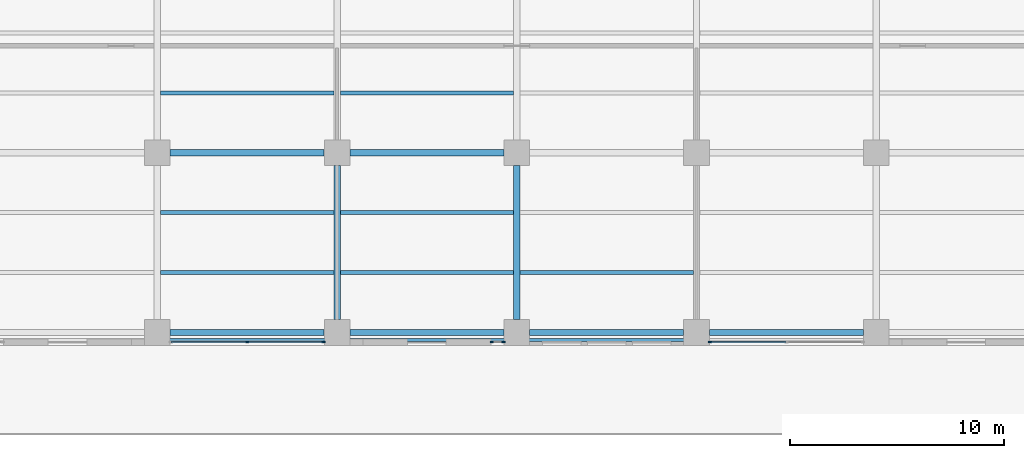
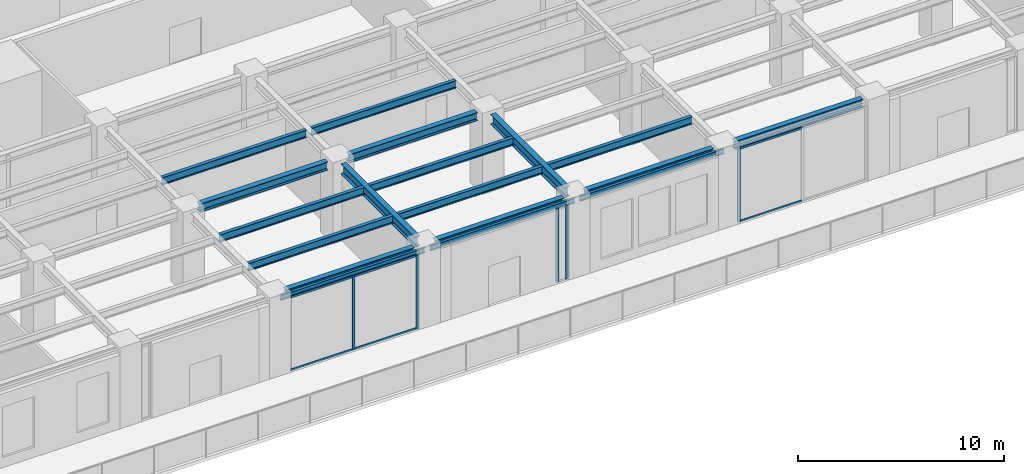
# One storey, part 4 of 53: 18 beams, 11 members, 3 elements without a shape of their own.
"""IFC4 building model written with IfcOpenShell, lengths in metres."""

from ifc_helpers import new_model, si_unit, direction, frame, origin, origin_2d, place, context, subcontext, project, spatial, rectangle, i_section, extrude, material, material_profile, profile_set, type_object, element, aggregate, save


model = new_model("IFC4")

# Units and contexts
model_context = context("Model", 3, precision=1e-05, world=origin(), true_north=direction((0.0, 1.0)))
body_context = subcontext(model_context, "Body", "Model", "MODEL_VIEW")
ifc_project = project(units=[si_unit("LENGTHUNIT", "METRE"), si_unit("AREAUNIT", "SQUARE_METRE"), si_unit("VOLUMEUNIT", "CUBIC_METRE"), si_unit("PLANEANGLEUNIT", "RADIAN"), si_unit("MASSUNIT", "GRAM", prefix="KILO")], contexts=[model_context])

# Site, building, storey
site_placement = place(None, origin())
site = spatial("IfcSite", under=ifc_project, at=site_placement, CompositionType="ELEMENT")
building_placement = place(site_placement, origin())
building = spatial("IfcBuilding", under=site, at=building_placement, Name="Khepri Terraces", CompositionType="ELEMENT")
storey_placement = place(building_placement, frame((0.0, 0.0, 7.199951171875)))
storey = spatial("IfcBuildingStorey", under=building, at=storey_placement, Name="L01", CompositionType="ELEMENT", Elevation=7.199951171875)

# Curtain wall, members
ifc_material_1 = material(Name="Anodised aluminium bronze curtain wall", Category="aluminium")
curtain_wall_type = type_object("IfcCurtainWallType", Name="CW-SYS2-PODIUM", PredefinedType="NOTDEFINED", material=ifc_material_1)
curtain_wall_1_placement = place(storey_placement, origin())
curtain_wall_1 = element("IfcCurtainWall", 1, at=curtain_wall_1_placement, inside=storey, type_object=curtain_wall_type, Name="Curtain wall CW2 L01 S", PredefinedType="NOTDEFINED")
ifc_material_2 = material(Name="Anodised aluminium bronze", Category="aluminium")
ifc_material_profile_1 = material_profile(ifc_material_2, rectangle(XDim=0.06005859375, YDim=0.159912109375, at=origin_2d()), Name="Anodised aluminium bronze", Category="aluminium")
ifc_profile_set_1 = profile_set([ifc_material_profile_1], Name="Anodised aluminium bronze")
member_type_1 = type_object("IfcMemberType", Name="CW-MULLION-60x160", PredefinedType="MULLION", material=ifc_profile_set_1)
member_1_placement = place(storey_placement, frame((-12.60009765625, -42.449951171875, 0.0), z_axis=(0.0, 0.0, 1.0), x_axis=(0.0, 1.0, 0.0)))
member_1 = element("IfcMember", 2, at=member_1_placement, type_object=member_type_1, Name="CW2 mullion 2", PredefinedType="MULLION", context=body_context, shape_type="SweptSolid", body=[
    extrude(rectangle(XDim=0.06005859375, YDim=0.159912109375, at=origin_2d()), origin(), (0.0, 0.0, 1.0), 4.380126953125),
])
member_2_placement = place(storey_placement, frame((-9.030029296875, -42.449951171875, 0.0), z_axis=(0.0, 0.0, 1.0), x_axis=(0.0, 1.0, 0.0)))
member_2 = element("IfcMember", 3, at=member_2_placement, type_object=member_type_1, Name="CW2 mullion 3", PredefinedType="MULLION", context=body_context, shape_type="SweptSolid", body=[
    extrude(rectangle(XDim=0.06005859375, YDim=0.159912109375, at=origin_2d()), origin(), (0.0, 0.0, 1.0), 4.380126953125),
])

curtain_wall_2_placement = place(storey_placement, origin())
curtain_wall_2 = element("IfcCurtainWall", 4, at=curtain_wall_2_placement, inside=storey, type_object=curtain_wall_type, Name="Curtain wall CW2 L01 S", PredefinedType="NOTDEFINED")
member_3_placement = place(storey_placement, frame((-1.169921875, -42.449951171875, 0.0), z_axis=(0.0, 0.0, 1.0), x_axis=(0.0, 1.0, 0.0)))
member_3 = element("IfcMember", 5, at=member_3_placement, type_object=member_type_1, Name="CW2 mullion 1", PredefinedType="MULLION", context=body_context, shape_type="SweptSolid", body=[
    extrude(rectangle(XDim=0.06005859375, YDim=0.159912109375, at=origin_2d()), origin(), (0.0, 0.0, 1.0), 4.380126953125),
])
member_4_placement = place(storey_placement, frame((-0.6298828125, -42.449951171875, 0.0), z_axis=(0.0, 0.0, 1.0), x_axis=(0.0, 1.0, 0.0)))
member_4 = element("IfcMember", 6, at=member_4_placement, type_object=member_type_1, Name="CW2 mullion 2", PredefinedType="MULLION", context=body_context, shape_type="SweptSolid", body=[
    extrude(rectangle(XDim=0.06005859375, YDim=0.159912109375, at=origin_2d()), origin(), (0.0, 0.0, 1.0), 4.380126953125),
])
aggregate(curtain_wall_2, [member_3, member_4])

# Curtain wall, member
curtain_wall_3_placement = place(storey_placement, origin())
curtain_wall_3 = element("IfcCurtainWall", 7, at=curtain_wall_3_placement, inside=storey, type_object=curtain_wall_type, Name="Curtain wall CW2 L01 S", PredefinedType="NOTDEFINED")
member_5_placement = place(storey_placement, frame((9.030029296875, -42.449951171875, 0.0), z_axis=(0.0, 0.0, 1.0), x_axis=(0.0, 1.0, 0.0)))
member_5 = element("IfcMember", 8, at=member_5_placement, type_object=member_type_1, Name="CW2 mullion 1", PredefinedType="MULLION", context=body_context, shape_type="SweptSolid", body=[
    extrude(rectangle(XDim=0.06005859375, YDim=0.159912109375, at=origin_2d()), origin(), (0.0, 0.0, 1.0), 4.380126953125),
])

# Member
ifc_material_profile_2 = material_profile(ifc_material_2, rectangle(XDim=0.06005859375, YDim=0.1201171875, at=origin_2d()), Name="Anodised aluminium bronze", Category="aluminium")
ifc_profile_set_2 = profile_set([ifc_material_profile_2], Name="Anodised aluminium bronze")
member_type_2 = type_object("IfcMemberType", Name="CW-TRANSOM-60x120", PredefinedType="USERDEFINED", material=ifc_profile_set_2)
member_6_placement = place(storey_placement, frame((-16.139892578125, -42.449951171875, 0.030029296875), z_axis=(1.0, 0.0, 0.0), x_axis=(0.0, 1.0, 0.0)))
member_6 = element("IfcMember", 9, at=member_6_placement, type_object=member_type_2, Name="CW2 transom 1.1", ObjectType="TRANSOM", PredefinedType="USERDEFINED", context=body_context, shape_type="SweptSolid", body=[
    extrude(rectangle(XDim=0.06005859375, YDim=0.1201171875, at=origin_2d()), origin(), (0.0, 0.0, 1.0), 3.510009765625),
])

member_7_placement = place(storey_placement, frame((-16.139892578125, -42.449951171875, 4.35009765625), z_axis=(1.0, 0.0, 0.0), x_axis=(0.0, 1.0, 0.0)))
member_7 = element("IfcMember", 10, at=member_7_placement, type_object=member_type_2, Name="CW2 transom 1.2", ObjectType="TRANSOM", PredefinedType="USERDEFINED", context=body_context, shape_type="SweptSolid", body=[
    extrude(rectangle(XDim=0.06005859375, YDim=0.1201171875, at=origin_2d()), origin(), (0.0, 0.0, 1.0), 3.510009765625),
])

member_8_placement = place(storey_placement, frame((-12.570068359375, -42.449951171875, 0.030029296875), z_axis=(1.0, 0.0, 0.0), x_axis=(0.0, 1.0, 0.0)))
member_8 = element("IfcMember", 11, at=member_8_placement, type_object=member_type_2, Name="CW2 transom 2.1", ObjectType="TRANSOM", PredefinedType="USERDEFINED", context=body_context, shape_type="SweptSolid", body=[
    extrude(rectangle(XDim=0.06005859375, YDim=0.1201171875, at=origin_2d()), origin(), (0.0, 0.0, 1.0), 3.510009765625),
])

member_9_placement = place(storey_placement, frame((-12.570068359375, -42.449951171875, 4.35009765625), z_axis=(1.0, 0.0, 0.0), x_axis=(0.0, 1.0, 0.0)))
member_9 = element("IfcMember", 12, at=member_9_placement, type_object=member_type_2, Name="CW2 transom 2.2", ObjectType="TRANSOM", PredefinedType="USERDEFINED", context=body_context, shape_type="SweptSolid", body=[
    extrude(rectangle(XDim=0.06005859375, YDim=0.1201171875, at=origin_2d()), origin(), (0.0, 0.0, 1.0), 3.510009765625),
])

aggregate(curtain_wall_1, [member_1, member_2, member_6, member_7, member_8, member_9])

member_10_placement = place(storey_placement, frame((9.06005859375, -42.449951171875, 0.030029296875), z_axis=(1.0, 0.0, 0.0), x_axis=(0.0, 1.0, 0.0)))
member_10 = element("IfcMember", 13, at=member_10_placement, type_object=member_type_2, Name="CW2 transom 1.1", ObjectType="TRANSOM", PredefinedType="USERDEFINED", context=body_context, shape_type="SweptSolid", body=[
    extrude(rectangle(XDim=0.06005859375, YDim=0.1201171875, at=origin_2d()), origin(), (0.0, 0.0, 1.0), 3.510009765625),
])

member_11_placement = place(storey_placement, frame((9.06005859375, -42.449951171875, 4.35009765625), z_axis=(1.0, 0.0, 0.0), x_axis=(0.0, 1.0, 0.0)))
member_11 = element("IfcMember", 14, at=member_11_placement, type_object=member_type_2, Name="CW2 transom 1.2", ObjectType="TRANSOM", PredefinedType="USERDEFINED", context=body_context, shape_type="SweptSolid", body=[
    extrude(rectangle(XDim=0.06005859375, YDim=0.1201171875, at=origin_2d()), origin(), (0.0, 0.0, 1.0), 3.510009765625),
])

aggregate(curtain_wall_3, [member_5, member_10, member_11])

# Beams
ifc_material_3 = material(Name="Steel S355", Category="steel")
ifc_material_profile_3 = material_profile(ifc_material_3, i_section(OverallWidth=0.14990234375, OverallDepth=0.300048828125, WebThickness=0.007080078125, FlangeThickness=0.0107421875, FilletRadius=0.014892578125, at=origin_2d()), Name="Steel S355", Category="steel")
ifc_profile_set_3 = profile_set([ifc_material_profile_3], Name="Steel S355")
beam_type_1 = type_object("IfcBeamType", Name="Podium edge beam L02 IPE 300", PredefinedType="SPANDREL", material=ifc_profile_set_3)
beam_1_placement = place(storey_placement, frame((-16.64990234375, -42.35009765625, 4.449951171875), z_axis=(1.0, 0.0, 0.0), x_axis=(0.0, 1.0, 0.0)))
element("IfcBeam", 15, at=beam_1_placement, inside=storey, type_object=beam_type_1, Name="Podium edge beam L02 004", PredefinedType="SPANDREL", context=body_context, shape_type="SweptSolid", body=[
    extrude(i_section(OverallWidth=0.14990234375, OverallDepth=0.300048828125, WebThickness=0.007080078125, FlangeThickness=0.0107421875, FilletRadius=0.014892578125, at=origin_2d()), origin(), (0.0, 0.0, 1.0), 8.099853515625),
])
for number, where, z_axis, x_axis, name in (
    (16, (-8.25, -42.35009765625, 4.449951171875), (1.0, 0.0, 0.0), (0.0, 1.0, 0.0), "Podium edge beam L02 005"),
    (17, (0.14990234375, -42.35009765625, 4.449951171875), (1.0, 0.0, 0.0), (0.0, 1.0, 0.0), "Podium edge beam L02 006"),
):
    element("IfcBeam", number, at=place(storey_placement, frame(where, z_axis=z_axis, x_axis=x_axis)), inside=storey, type_object=beam_type_1, Name=name, PredefinedType="SPANDREL", context=body_context, shape_type="SweptSolid", body=[
        extrude(i_section(OverallWidth=0.14990234375, OverallDepth=0.300048828125, WebThickness=0.007080078125, FlangeThickness=0.0107421875, FilletRadius=0.014892578125, at=origin_2d()), origin(), (0.0, 0.0, 1.0), 8.10009765625),
    ])
ifc_material_profile_4 = material_profile(ifc_material_3, i_section(OverallWidth=0.300048828125, OverallDepth=0.60009765625, WebThickness=0.015380859375, FlangeThickness=0.030029296875, FilletRadius=0.027099609375, at=origin_2d()), Name="Steel S355", Category="steel")
ifc_profile_set_4 = profile_set([ifc_material_profile_4], Name="Steel S355")
beam_type_2 = type_object("IfcBeamType", Name="Podium girder L02 HEB 600", PredefinedType="BEAM", material=ifc_profile_set_4)
for number, where, z_axis, x_axis, name in (
    (18, (-8.39990234375, -41.39990234375, 4.300048828125), (0.0, 1.0, 0.0), (-1.0, 0.0, 0.0), "Podium girder L02 033"),
    (19, (0.0, -41.39990234375, 4.300048828125), (0.0, 1.0, 0.0), (-1.0, 0.0, 0.0), "Podium girder L02 037"),
):
    element("IfcBeam", number, at=place(storey_placement, frame(where, z_axis=z_axis, x_axis=x_axis)), inside=storey, type_object=beam_type_2, Name=name, PredefinedType="BEAM", context=body_context, shape_type="SweptSolid", body=[
        extrude(i_section(OverallWidth=0.300048828125, OverallDepth=0.60009765625, WebThickness=0.015380859375, FlangeThickness=0.030029296875, FilletRadius=0.027099609375, at=origin_2d()), origin(), (0.0, 0.0, 1.0), 7.199951171875),
    ])
ifc_material_profile_5 = material_profile(ifc_material_3, i_section(OverallWidth=0.300048828125, OverallDepth=0.5, WebThickness=0.014404296875, FlangeThickness=0.028076171875, FilletRadius=0.027099609375, at=origin_2d()), Name="Steel S355", Category="steel")
ifc_profile_set_5 = profile_set([ifc_material_profile_5], Name="Steel S355")
beam_type_3 = type_object("IfcBeamType", Name="Podium girder L02 grid line HEB 500", PredefinedType="BEAM", material=ifc_profile_set_5)
for number, where, z_axis, x_axis, name in (
    (20, (-16.199951171875, -42.0, 4.35009765625), (1.0, 0.0, 0.0), (0.0, 1.0, 0.0), "Podium grid-line girder L02 004"),
    (21, (-7.800048828125, -42.0, 4.35009765625), (1.0, 0.0, 0.0), (0.0, 1.0, 0.0), "Podium grid-line girder L02 005"),
    (22, (0.60009765625, -42.0, 4.35009765625), (1.0, 0.0, 0.0), (0.0, 1.0, 0.0), "Podium grid-line girder L02 006"),
    (23, (9.0, -42.0, 4.35009765625), (1.0, 0.0, 0.0), (0.0, 1.0, 0.0), "Podium grid-line girder L02 007"),
    (24, (-16.199951171875, -33.60009765625, 4.35009765625), (1.0, 0.0, 0.0), (0.0, 1.0, 0.0), "Podium grid-line girder L02 034"),
    (25, (-7.800048828125, -33.60009765625, 4.35009765625), (1.0, 0.0, 0.0), (0.0, 1.0, 0.0), "Podium grid-line girder L02 035"),
):
    element("IfcBeam", number, at=place(storey_placement, frame(where, z_axis=z_axis, x_axis=x_axis)), inside=storey, type_object=beam_type_3, Name=name, PredefinedType="BEAM", context=body_context, shape_type="SweptSolid", body=[
        extrude(i_section(OverallWidth=0.300048828125, OverallDepth=0.5, WebThickness=0.014404296875, FlangeThickness=0.028076171875, FilletRadius=0.027099609375, at=origin_2d()), origin(), (0.0, 0.0, 1.0), 7.199951171875),
    ])
ifc_material_profile_6 = material_profile(ifc_material_3, i_section(OverallWidth=0.18994140625, OverallDepth=0.449951171875, WebThickness=0.009521484375, FlangeThickness=0.0146484375, FilletRadius=0.02099609375, at=origin_2d()), Name="Steel S355", Category="steel")
ifc_profile_set_6 = profile_set([ifc_material_profile_6], Name="Steel S355")
beam_type_4 = type_object("IfcBeamType", Name="Podium joist L02 IPE 450", PredefinedType="JOIST", material=ifc_profile_set_6)
beam_2_placement = place(storey_placement, frame((-16.64990234375, -39.199951171875, 4.375), z_axis=(1.0, 0.0, 0.0), x_axis=(0.0, 1.0, 0.0)))
element("IfcBeam", 26, at=beam_2_placement, inside=storey, type_object=beam_type_4, Name="Podium joist L02 014", PredefinedType="JOIST", context=body_context, shape_type="SweptSolid", body=[
    extrude(i_section(OverallWidth=0.18994140625, OverallDepth=0.449951171875, WebThickness=0.009521484375, FlangeThickness=0.0146484375, FilletRadius=0.02099609375, at=origin_2d()), origin(), (0.0, 0.0, 1.0), 8.099853515625),
])
for number, where, z_axis, x_axis, name in (
    (27, (-8.25, -39.199951171875, 4.375), (1.0, 0.0, 0.0), (0.0, 1.0, 0.0), "Podium joist L02 015"),
    (28, (0.14990234375, -39.199951171875, 4.375), (1.0, 0.0, 0.0), (0.0, 1.0, 0.0), "Podium joist L02 016"),
):
    element("IfcBeam", number, at=place(storey_placement, frame(where, z_axis=z_axis, x_axis=x_axis)), inside=storey, type_object=beam_type_4, Name=name, PredefinedType="JOIST", context=body_context, shape_type="SweptSolid", body=[
        extrude(i_section(OverallWidth=0.18994140625, OverallDepth=0.449951171875, WebThickness=0.009521484375, FlangeThickness=0.0146484375, FilletRadius=0.02099609375, at=origin_2d()), origin(), (0.0, 0.0, 1.0), 8.10009765625),
    ])
beam_3_placement = place(storey_placement, frame((-16.64990234375, -36.39990234375, 4.375), z_axis=(1.0, 0.0, 0.0), x_axis=(0.0, 1.0, 0.0)))
element("IfcBeam", 29, at=beam_3_placement, inside=storey, type_object=beam_type_4, Name="Podium joist L02 024", PredefinedType="JOIST", context=body_context, shape_type="SweptSolid", body=[
    extrude(i_section(OverallWidth=0.18994140625, OverallDepth=0.449951171875, WebThickness=0.009521484375, FlangeThickness=0.0146484375, FilletRadius=0.02099609375, at=origin_2d()), origin(), (0.0, 0.0, 1.0), 8.099853515625),
])
beam_4_placement = place(storey_placement, frame((-8.25, -36.39990234375, 4.375), z_axis=(1.0, 0.0, 0.0), x_axis=(0.0, 1.0, 0.0)))
element("IfcBeam", 30, at=beam_4_placement, inside=storey, type_object=beam_type_4, Name="Podium joist L02 025", PredefinedType="JOIST", context=body_context, shape_type="SweptSolid", body=[
    extrude(i_section(OverallWidth=0.18994140625, OverallDepth=0.449951171875, WebThickness=0.009521484375, FlangeThickness=0.0146484375, FilletRadius=0.02099609375, at=origin_2d()), origin(), (0.0, 0.0, 1.0), 8.10009765625),
])
beam_5_placement = place(storey_placement, frame((-16.64990234375, -30.800048828125, 4.375), z_axis=(1.0, 0.0, 0.0), x_axis=(0.0, 1.0, 0.0)))
element("IfcBeam", 31, at=beam_5_placement, inside=storey, type_object=beam_type_4, Name="Podium joist L02 044", PredefinedType="JOIST", context=body_context, shape_type="SweptSolid", body=[
    extrude(i_section(OverallWidth=0.18994140625, OverallDepth=0.449951171875, WebThickness=0.009521484375, FlangeThickness=0.0146484375, FilletRadius=0.02099609375, at=origin_2d()), origin(), (0.0, 0.0, 1.0), 8.099853515625),
])
beam_6_placement = place(storey_placement, frame((-8.25, -30.800048828125, 4.375), z_axis=(1.0, 0.0, 0.0), x_axis=(0.0, 1.0, 0.0)))
element("IfcBeam", 32, at=beam_6_placement, inside=storey, type_object=beam_type_4, Name="Podium joist L02 045", PredefinedType="JOIST", context=body_context, shape_type="SweptSolid", body=[
    extrude(i_section(OverallWidth=0.18994140625, OverallDepth=0.449951171875, WebThickness=0.009521484375, FlangeThickness=0.0146484375, FilletRadius=0.02099609375, at=origin_2d()), origin(), (0.0, 0.0, 1.0), 8.10009765625),
])

save(model, "model.ifc")
